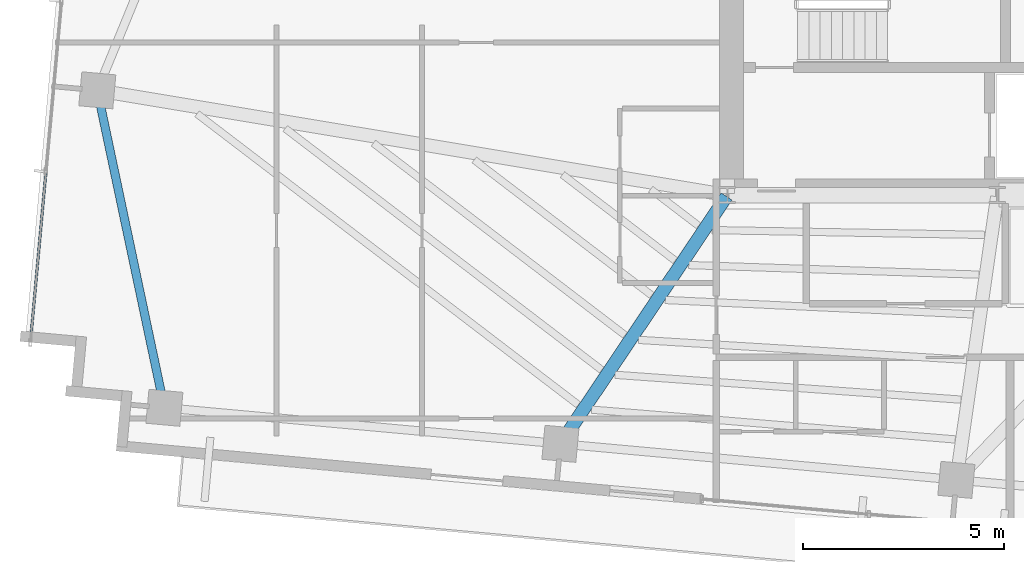
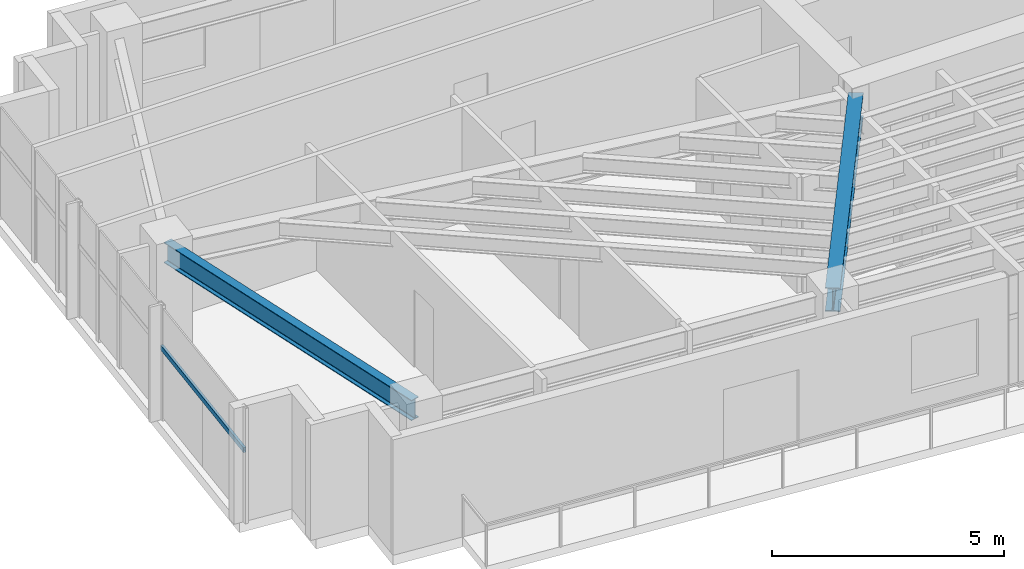
# One storey, part 3 of 22: 2 beams, 1 member, 1 element without a shape of its own.
"""IFC4 building model written with IfcOpenShell, lengths in metres."""

from ifc_helpers import new_model, si_unit, direction, frame, origin, origin_2d, place, context, subcontext, project, spatial, hollow_rectangle, i_section, extrude, source, transform, mapped, material, material_profile, profile_set, type_object, type_shapes, element, aggregate, save


model = new_model("IFC4")

# Units and contexts
model_context = context("Model", 3, precision=1e-05, world=origin(), true_north=direction((0.0, 1.0)))
body_context = subcontext(model_context, "Body", "Model", "MODEL_VIEW")
ifc_project = project(units=[si_unit("LENGTHUNIT", "METRE"), si_unit("AREAUNIT", "SQUARE_METRE"), si_unit("VOLUMEUNIT", "CUBIC_METRE"), si_unit("PLANEANGLEUNIT", "RADIAN"), si_unit("MASSUNIT", "GRAM", prefix="KILO")], contexts=[model_context])

# Site, building, storey
site_placement = place(None, origin())
site = spatial("IfcSite", under=ifc_project, at=site_placement, CompositionType="ELEMENT")
building_placement = place(site_placement, origin())
building = spatial("IfcBuilding", under=site, at=building_placement, Name="Astriad Promenade Condominiums", CompositionType="ELEMENT")
storey_placement = place(building_placement, frame((0.0, 0.0, 239.699951171875)))
storey = spatial("IfcBuildingStorey", under=building, at=storey_placement, Name="L69", CompositionType="ELEMENT", Elevation=239.699951171875)

# Beams
ifc_material_1 = material(Name="Steel ASTM A992 Grade 50", Category="steel")
ifc_material_profile_1 = material_profile(ifc_material_1, i_section(OverallWidth=0.210693359375, OverallDepth=0.53955078125, WebThickness=0.01171875, FlangeThickness=0.018798828125, FilletRadius=0.0166015625, at=origin_2d()), Name="W21X73")
ifc_profile_set_1 = profile_set([ifc_material_profile_1], Name="Steel ASTM A992 Grade 50")
beam_type_1 = type_object("IfcBeamType", Name="STEEL SPANDREL BEAM W21X73", PredefinedType="SPANDREL", material=ifc_profile_set_1)
shared_shape_1 = source(origin(), body_context, "Body", "SweptSolid", [
    extrude(i_section(OverallWidth=0.210693359375, OverallDepth=0.53955078125, WebThickness=0.01171875, FlangeThickness=0.018798828125, FilletRadius=0.0166015625, at=origin_2d()), origin(), (0.0, 0.0, 1.0), 7.99853515625),
])
type_shapes(beam_type_1, [shared_shape_1])
beam_1_placement = place(storey_placement, frame((10.719482421875, 19.97119140625, 2.770263671875), z_axis=(0.206793407277, -0.978384631271, 0.0), x_axis=(0.978384631271, 0.206793407277, 0.0)))
element("IfcBeam", 1, at=beam_1_placement, inside=storey, type_object=beam_type_1, Name="Perimeter Spandrel Beam SP-W1-L69", PredefinedType="SPANDREL", context=body_context, shape_type="MappedRepresentation", body=[
    mapped(shared_shape_1, transform((0.0, 0.0, 0.0), scale=1.0)),
])
ifc_material_profile_2 = material_profile(ifc_material_1, i_section(OverallWidth=0.326416015625, OverallDepth=0.621826171875, WebThickness=0.015380859375, FlangeThickness=0.0244140625, FilletRadius=0.017822265625, at=origin_2d()), Name="W24X131")
ifc_profile_set_2 = profile_set([ifc_material_profile_2], Name="Steel ASTM A992 Grade 50")
beam_type_2 = type_object("IfcBeamType", Name="STEEL FLOOR GIRDER W24X131", PredefinedType="BEAM", material=ifc_profile_set_2)
shared_shape_2 = source(origin(), body_context, "Body", "SweptSolid", [
    extrude(i_section(OverallWidth=0.326416015625, OverallDepth=0.621826171875, WebThickness=0.015380859375, FlangeThickness=0.0244140625, FilletRadius=0.017822265625, at=origin_2d()), origin(), (0.0, 0.0, 1.0), 7.378173828125),
])
type_shapes(beam_type_2, [shared_shape_2])
beam_2_placement = place(storey_placement, frame((22.263427734375, 11.2421875, 2.729248046875), z_axis=(0.55762901545, 0.830090284926, 0.0), x_axis=(-0.830090284926, 0.55762901545, 0.0)))
element("IfcBeam", 2, at=beam_2_placement, inside=storey, type_object=beam_type_2, Name="Primary Floor Girder PG-W2-L69", PredefinedType="BEAM", context=body_context, shape_type="MappedRepresentation", body=[
    mapped(shared_shape_2, transform((0.0, 0.0, 0.0), scale=1.0)),
])

# Curtain wall, member
ifc_material_2 = material(Name="Anodised aluminium Black Dark Glass Unitised", Category="aluminium")
curtain_wall_type = type_object("IfcCurtainWallType", Name="CW-B5-DARK", PredefinedType="USERDEFINED", material=ifc_material_2)
curtain_wall_placement = place(storey_placement, origin())
curtain_wall = element("IfcCurtainWall", 3, at=curtain_wall_placement, inside=storey, type_object=curtain_wall_type, Name="CW-L69-W", ObjectType="UNITISED_CURTAIN_WALL", PredefinedType="USERDEFINED")
ifc_material_3 = material(Name="Anodised aluminium 6063-T6 Black", Category="aluminium")
ifc_material_profile_3 = material_profile(ifc_material_3, hollow_rectangle(XDim=0.06494140625, YDim=0.1298828125, WallThickness=0.00390625, at=origin_2d()), Name="ALU-TRN-65X130")
ifc_profile_set_3 = profile_set([ifc_material_profile_3], Name="Anodised aluminium 6063-T6 Black")
member_type = type_object("IfcMemberType", Name="TRN-ALU-TRN-65X130", PredefinedType="USERDEFINED", material=ifc_profile_set_3)
shared_shape_3 = source(origin(), body_context, "Body", "SweptSolid", [
    extrude(hollow_rectangle(XDim=0.06494140625, YDim=0.1298828125, WallThickness=0.00390625, at=origin_2d()), origin(), (0.0, 0.0, 1.0), 4.2666015625),
])
type_shapes(member_type, [shared_shape_3])
member_placement = place(storey_placement, frame((9.0458984375, 13.7353515625, 1.884765625), z_axis=(0.090638931954, 0.99588382054, 0.0), x_axis=(-0.99588382054, 0.090638931954, 0.0)))
member = element("IfcMember", 4, at=member_placement, type_object=member_type, Name="CW-L69-W-TRN-00-0", ObjectType="TRANSOM", PredefinedType="USERDEFINED", context=body_context, shape_type="MappedRepresentation", body=[
    mapped(shared_shape_3, transform((0.0, 0.0, 0.0), scale=1.0)),
])
aggregate(curtain_wall, [member])

save(model, "model.ifc")
